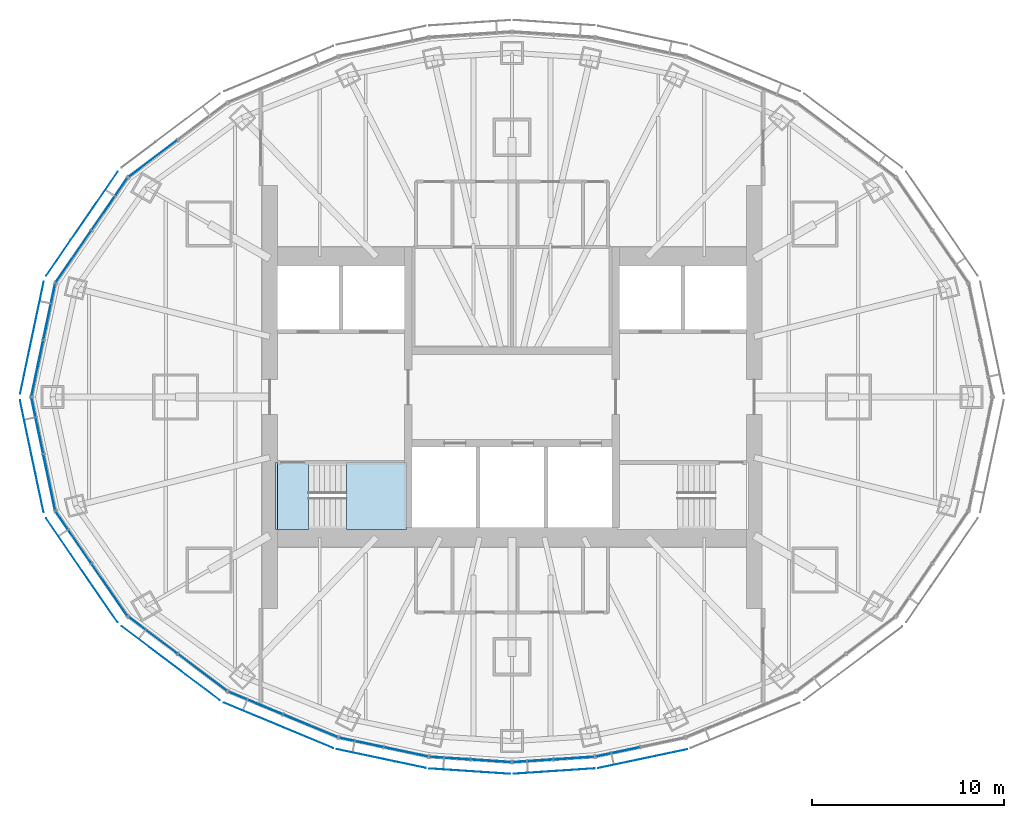
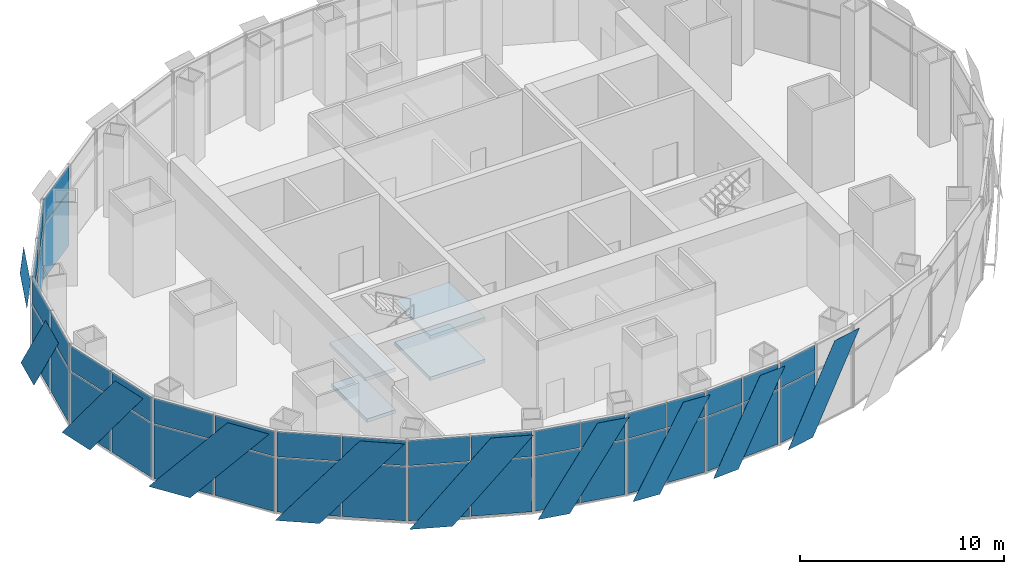
# One storey, part 9 of 17: 50 plates, 4 slabs, 12 elements without a shape of their own.
"""IFC4 building model written with IfcOpenShell, lengths in metres."""

import ifcopenshell
import ifcopenshell.guid

model = None  # the IFC model being written
_history = None  # IfcOwnerHistory: only IFC2X3 demands one
_inside = {}  # id of a spatial element -> (the spatial element, [elements in it])
_under = {}  # id of a project, library or spatial element -> (it, [spatial elements below it])
_declared = {}  # id of a project -> (the project, [libraries it declares])
_typed = {}  # id of a type object -> (the type object, [elements of that type])
_made_of = {}  # id of a material, layer set ... -> (it, [elements and type objects made of it])


def new_model(schema):
    """Start an empty IFC model of exactly this schema.

    Asked for "IFC4X3", IfcOpenShell would pick the latest addendum, in which some entities
    have other attributes; the version numbers below select the first issue.
    IFC2X3 requires an IfcOwnerHistory on every rooted entity: one is made here for all.
    """
    global model, _history
    if schema == "IFC4X3":
        model = ifcopenshell.file(schema_version=(4, 3, 0, 0))
    else:
        model = ifcopenshell.file(schema=schema)
    _inside.clear()
    _under.clear()
    _declared.clear()
    _typed.clear()
    _made_of.clear()
    _history = None
    if model.schema == "IFC2X3":
        org = make("IfcOrganization", Name="unknown")
        user = make(
            "IfcPersonAndOrganization",
            ThePerson=make("IfcPerson", FamilyName="unknown"),
            TheOrganization=org,
        )
        app = make(
            "IfcApplication",
            ApplicationDeveloper=org,
            Version="unknown",
            ApplicationFullName="unknown",
            ApplicationIdentifier="unknown",
        )
        _history = make(
            "IfcOwnerHistory",
            OwningUser=user,
            OwningApplication=app,
            ChangeAction="ADDED",
            CreationDate=0,
        )
    return model


def make(cls, **values):
    """One entity of the class cls with the attributes given. An attribute that is None is left unset."""
    return model.create_entity(
        cls, **{name: value for name, value in values.items() if value is not None}
    )


def rooted(cls, **values):
    """An entity with a GlobalId (a new one), such as an element, a storey or a relation."""
    return make(cls, GlobalId=ifcopenshell.guid.new(), OwnerHistory=_history, **values)


def si_unit(unit_type, name, prefix=None):
    """IfcSIUnit, for example si_unit("LENGTHUNIT", "METRE", prefix="MILLI")."""
    return make("IfcSIUnit", UnitType=unit_type, Prefix=prefix, Name=name)


def assignment(units):
    """IfcUnitAssignment: the units of a project."""
    return None if units is None else make("IfcUnitAssignment", Units=units)


def point(xyz):
    """IfcCartesianPoint."""
    return None if xyz is None else make("IfcCartesianPoint", Coordinates=xyz)


def direction(xyz):
    """IfcDirection."""
    return None if xyz is None else make("IfcDirection", DirectionRatios=xyz)


def frame(location, z_axis=None, x_axis=None):
    """IfcAxis2Placement3D, a coordinate frame: its origin and axes. An axis left out is left unset."""
    return make(
        "IfcAxis2Placement3D",
        Location=point(location),
        Axis=direction(z_axis),
        RefDirection=direction(x_axis),
    )


def frame_2d(location, x_axis=None):
    """IfcAxis2Placement2D, a coordinate frame in the plane: its origin and x axis."""
    return make(
        "IfcAxis2Placement2D", Location=point(location), RefDirection=direction(x_axis)
    )


def origin():
    """The frame at (0, 0, 0) with its axes left unset."""
    return frame((0.0, 0.0, 0.0))


def origin_2d():
    """The frame at (0, 0) in the plane with its x axis left unset."""
    return frame_2d((0.0, 0.0))


def place(relative_to, where):
    """IfcLocalPlacement: puts the frame where relative to a parent placement (None: the world)."""
    return make(
        "IfcLocalPlacement", PlacementRelTo=relative_to, RelativePlacement=where
    )


def context(
    kind, dimensions, precision=None, world=None, true_north=None, identifier=None
):
    """IfcGeometricRepresentationContext, for example the 3D "Model" context."""
    return make(
        "IfcGeometricRepresentationContext",
        ContextIdentifier=identifier,
        ContextType=kind,
        CoordinateSpaceDimension=dimensions,
        Precision=precision,
        WorldCoordinateSystem=world,
        TrueNorth=true_north,
    )


def subcontext(parent, identifier, kind, view, scale=None):
    """IfcGeometricRepresentationSubContext, for example "Body" below "Model"."""
    return make(
        "IfcGeometricRepresentationSubContext",
        ContextIdentifier=identifier,
        ContextType=kind,
        ParentContext=parent,
        TargetScale=scale,
        TargetView=view,
    )


def project(units=None, contexts=None):
    """IfcProject with its units and contexts."""
    return rooted(
        "IfcProject",
        Name="project",
        RepresentationContexts=contexts,
        UnitsInContext=assignment(units),
    )


def spatial(cls, under=None, at=None, **own):
    """A site, building, storey or space (cls), placed at a placement, below another one or the project."""
    s = rooted(cls, ObjectPlacement=at, **own)
    if under is not None:
        _under.setdefault(under.id(), (under, []))[1].append(s)
    return s


def polyline(points):
    """IfcPolyline through the points."""
    return make("IfcPolyline", Points=[point(p) for p in points])


def profile(cls, at=None, kind="AREA", **sizes):
    """A parametric profile (cls). Its sizes go by their IFC names, for example OverallWidth=200.0."""
    return make(cls, ProfileType=kind, Position=at, **sizes)


def rectangle(**sizes):
    """IfcRectangleProfileDef."""
    return profile("IfcRectangleProfileDef", **sizes)


def outline(outer, holes=None, kind="AREA"):
    """IfcArbitraryClosedProfileDef: a profile drawn as a closed curve; with holes, ...WithVoids."""
    if holes is None:
        return make("IfcArbitraryClosedProfileDef", ProfileType=kind, OuterCurve=outer)
    return make(
        "IfcArbitraryProfileDefWithVoids",
        ProfileType=kind,
        OuterCurve=outer,
        InnerCurves=holes,
    )


def extrude(swept, where, along, depth):
    """IfcExtrudedAreaSolid: the profile swept, set in the frame where, extruded along a direction by depth."""
    return make(
        "IfcExtrudedAreaSolid",
        SweptArea=swept,
        Position=where,
        ExtrudedDirection=direction(along),
        Depth=depth,
    )


def shape(context_of_items, identifier, shape_type, items):
    """IfcShapeRepresentation: the items that make up one representation, for example the "Body"."""
    return make(
        "IfcShapeRepresentation",
        ContextOfItems=context_of_items,
        RepresentationIdentifier=identifier,
        RepresentationType=shape_type,
        Items=items,
    )


def material(Name=None, Category=None):
    """IfcMaterial."""
    return make("IfcMaterial", Name=Name, Category=Category)


def layer(
    of_material, thickness, ventilated=None, Name=None, Category=None, Priority=None
):
    """IfcMaterialLayer: one layer of a wall or slab, of a material (None: an air gap)."""
    return make(
        "IfcMaterialLayer",
        Material=of_material,
        LayerThickness=thickness,
        IsVentilated=ventilated,
        Name=Name,
        Category=Category,
        Priority=Priority,
    )


def layer_set(layers, Name=None):
    """IfcMaterialLayerSet."""
    return make("IfcMaterialLayerSet", MaterialLayers=layers, LayerSetName=Name)


def made_of(thing, what):
    """Note that an element or type object is made of a material, layer set ...; save() writes the relation."""
    if what is not None:
        _made_of.setdefault(what.id(), (what, []))[1].append(thing)
    return thing


def type_object(cls, material=None, **own):
    """A type object (cls), such as IfcWallType, which elements share."""
    return made_of(rooted(cls, **own), material)


def element(
    cls,
    number,
    at=None,
    inside=None,
    cuts=None,
    type_object=None,
    material=None,
    context=None,
    identifier="Body",
    shape_type=None,
    held_by="IfcProductDefinitionShape",
    body=None,
    shapes=None,
    **own,
):
    """One element of the class cls, such as IfcWall. Its Tag is "e" and its number.

    at: its placement. inside: the storey or other place that contains it. cuts: it is an
    opening in that element (IfcRelVoidsElement). A single representation is given by context,
    identifier, shape_type and body (its items); several are given by shapes. held_by: the class
    of the entity that holds the representations. save() writes the other relations.
    """
    e = rooted(cls, Tag="e%d" % number, ObjectPlacement=at, **own)
    if body is not None:
        shapes = [shape(context, identifier, shape_type, body)]
    if shapes is not None:
        e.Representation = make(held_by, Representations=shapes)
    if inside is not None:
        _inside.setdefault(inside.id(), (inside, []))[1].append(e)
    if cuts is not None:
        rooted(
            "IfcRelVoidsElement", RelatingBuildingElement=cuts, RelatedOpeningElement=e
        )
    if type_object is not None:
        _typed.setdefault(type_object.id(), (type_object, []))[1].append(e)
    return made_of(e, material)


def aggregate(whole, parts):
    """IfcRelAggregates: a whole, such as a stair, and the parts it consists of."""
    return rooted("IfcRelAggregates", RelatingObject=whole, RelatedObjects=parts)


def save(model, path):
    """Write the relations noted so far, then the file.

    IfcRelAggregates (storeys below a building ...), IfcRelContainedInSpatialStructure (elements
    in a storey), IfcRelDefinesByType, IfcRelAssociatesMaterial and IfcRelDeclares: one each for
    every whole, place, type object, material and project.
    """
    for whole, parts in _under.values():
        aggregate(whole, parts)
    for where, things in _inside.values():
        rooted(
            "IfcRelContainedInSpatialStructure",
            RelatedElements=things,
            RelatingStructure=where,
        )
    for kind, things in _typed.values():
        rooted("IfcRelDefinesByType", RelatedObjects=things, RelatingType=kind)
    for what, things in _made_of.values():
        rooted("IfcRelAssociatesMaterial", RelatedObjects=things, RelatingMaterial=what)
    for by, libraries in _declared.values():
        rooted("IfcRelDeclares", RelatingContext=by, RelatedDefinitions=libraries)
    model.write(path)


model = new_model("IFC4")

# Units and contexts
model_context = context("Model", 3, precision=1e-05, world=origin(), true_north=direction((0.0, 1.0)))
body_context = subcontext(model_context, "Body", "Model", "MODEL_VIEW")
ifc_project = project(units=[si_unit("LENGTHUNIT", "METRE"), si_unit("AREAUNIT", "SQUARE_METRE"), si_unit("VOLUMEUNIT", "CUBIC_METRE"), si_unit("PLANEANGLEUNIT", "RADIAN"), si_unit("MASSUNIT", "GRAM", prefix="KILO")], contexts=[model_context])

# Site, building, storey
site_placement = place(None, origin())
site = spatial("IfcSite", under=ifc_project, at=site_placement, CompositionType="ELEMENT")
building_placement = place(site_placement, origin())
building = spatial("IfcBuilding", under=site, at=building_placement, Name="Lantaw Convention Tower", CompositionType="ELEMENT")
storey_placement = place(building_placement, frame((0.0, 0.0, 279.39990234375)))
storey = spatial("IfcBuildingStorey", under=building, at=storey_placement, Name="L65", CompositionType="ELEMENT", Elevation=279.39990234375)

# Curtain wall, plates
ifc_material_1 = material(Name="Aluminium framed curtain wall", Category="aluminium")
curtain_wall_type = type_object("IfcCurtainWallType", Name="Executive floors curtain wall, pale aluminium", PredefinedType="USERDEFINED", material=ifc_material_1)
curtain_wall_1_placement = place(storey_placement, origin())
curtain_wall_1 = element("IfcCurtainWall", 1, at=curtain_wall_1_placement, inside=storey, type_object=curtain_wall_type, Name="Executive floors curtain wall, pale aluminium L65", ObjectType="UNITISED CURTAIN WALL", PredefinedType="USERDEFINED")
ifc_material_2 = material(Name="Clear insulating glass", Category="glass")
ifc_layer_1 = layer(ifc_material_2, 0.030029296875)
ifc_layer_set_1 = layer_set([ifc_layer_1], Name="CW-T panel 30")
plate_type_1 = type_object("IfcPlateType", Name="CW-T panel 30", PredefinedType="CURTAIN_PANEL", material=ifc_layer_set_1)
plate_1_placement = place(storey_placement, frame((-18.67041015625, 12.403564453125, -0.080078125), z_axis=(0.0, 0.0, 1.0), x_axis=(-0.799517528732, -0.600642756762, 0.0)))
plate_1 = element("IfcPlate", 2, at=plate_1_placement, type_object=plate_type_1, Name="CW-T panel 2.1", PredefinedType="CURTAIN_PANEL", context=body_context, shape_type="SweptSolid", body=[
    extrude(rectangle(XDim=3.140869140625, YDim=0.030029296875, at=origin_2d()), origin(), (0.0, 0.0, 1.0), 3.2451171875),
])
plate_2_placement = place(storey_placement, frame((-18.67041015625, 12.403564453125, 3.235107421875), z_axis=(0.0, 0.0, 1.0), x_axis=(-0.799517528732, -0.600642756762, 0.0)))
plate_2 = element("IfcPlate", 3, at=plate_2_placement, type_object=plate_type_1, Name="CW-T panel 2.2", PredefinedType="CURTAIN_PANEL", context=body_context, shape_type="SweptSolid", body=[
    extrude(rectangle(XDim=3.140869140625, YDim=0.030029296875, at=origin_2d()), origin(), (0.0, 0.0, 1.0), 1.4951171875),
])
aggregate(curtain_wall_1, [plate_1, plate_2])

curtain_wall_2_placement = place(storey_placement, origin())
curtain_wall_2 = element("IfcCurtainWall", 4, at=curtain_wall_2_placement, inside=storey, type_object=curtain_wall_type, Name="Executive floors curtain wall, pale aluminium L65", ObjectType="UNITISED CURTAIN WALL", PredefinedType="USERDEFINED")
plate_3_placement = place(storey_placement, frame((-20.93505859375, 10.030029296875, -0.080078125), z_axis=(0.0, 0.0, 1.0), x_axis=(-0.565934832921, -0.824449977189, 0.0)))
plate_3 = element("IfcPlate", 5, at=plate_3_placement, type_object=plate_type_1, Name="CW-T panel 1.1", PredefinedType="CURTAIN_PANEL", context=body_context, shape_type="SweptSolid", body=[
    extrude(rectangle(XDim=3.22802734375, YDim=0.030029296875, at=origin_2d()), origin(), (0.0, 0.0, 1.0), 3.2451171875),
])
plate_4_placement = place(storey_placement, frame((-20.93505859375, 10.030029296875, 3.235107421875), z_axis=(0.0, 0.0, 1.0), x_axis=(-0.565934832921, -0.824449977189, 0.0)))
plate_4 = element("IfcPlate", 6, at=plate_4_placement, type_object=plate_type_1, Name="CW-T panel 1.2", PredefinedType="CURTAIN_PANEL", context=body_context, shape_type="SweptSolid", body=[
    extrude(rectangle(XDim=3.22802734375, YDim=0.030029296875, at=origin_2d()), origin(), (0.0, 0.0, 1.0), 1.4951171875),
])
plate_5_placement = place(storey_placement, frame((-22.80126953125, 7.31103515625, -0.080078125), z_axis=(0.0, 0.0, 1.0), x_axis=(-0.565934832921, -0.824449977189, 0.0)))
plate_5 = element("IfcPlate", 7, at=plate_5_placement, type_object=plate_type_1, Name="CW-T panel 2.1", PredefinedType="CURTAIN_PANEL", context=body_context, shape_type="SweptSolid", body=[
    extrude(rectangle(XDim=3.22802734375, YDim=0.030029296875, at=origin_2d()), origin(), (0.0, 0.0, 1.0), 3.2451171875),
])
plate_6_placement = place(storey_placement, frame((-22.80126953125, 7.31103515625, 3.235107421875), z_axis=(0.0, 0.0, 1.0), x_axis=(-0.565934832921, -0.824449977189, 0.0)))
plate_6 = element("IfcPlate", 8, at=plate_6_placement, type_object=plate_type_1, Name="CW-T panel 2.2", PredefinedType="CURTAIN_PANEL", context=body_context, shape_type="SweptSolid", body=[
    extrude(rectangle(XDim=3.22802734375, YDim=0.030029296875, at=origin_2d()), origin(), (0.0, 0.0, 1.0), 1.4951171875),
])
aggregate(curtain_wall_2, [plate_3, plate_4, plate_5, plate_6])

curtain_wall_3_placement = place(storey_placement, origin())
curtain_wall_3 = element("IfcCurtainWall", 9, at=curtain_wall_3_placement, inside=storey, type_object=curtain_wall_type, Name="Executive floors curtain wall, pale aluminium L65", ObjectType="UNITISED CURTAIN WALL", PredefinedType="USERDEFINED")
plate_7_placement = place(storey_placement, frame((-24.0693359375, 4.4248046875, -0.080078125), z_axis=(0.0, 0.0, 1.0), x_axis=(-0.205814054946, -0.978591117263, 0.0)))
plate_7 = element("IfcPlate", 10, at=plate_7_placement, type_object=plate_type_1, Name="CW-T panel 1.1", PredefinedType="CURTAIN_PANEL", context=body_context, shape_type="SweptSolid", body=[
    extrude(rectangle(XDim=2.921142578125, YDim=0.030029296875, at=origin_2d()), origin(), (0.0, 0.0, 1.0), 3.2451171875),
])
plate_8_placement = place(storey_placement, frame((-24.0693359375, 4.4248046875, 3.235107421875), z_axis=(0.0, 0.0, 1.0), x_axis=(-0.205814054946, -0.978591117263, 0.0)))
plate_8 = element("IfcPlate", 11, at=plate_8_placement, type_object=plate_type_1, Name="CW-T panel 1.2", PredefinedType="CURTAIN_PANEL", context=body_context, shape_type="SweptSolid", body=[
    extrude(rectangle(XDim=2.921142578125, YDim=0.030029296875, at=origin_2d()), origin(), (0.0, 0.0, 1.0), 1.4951171875),
])
plate_9_placement = place(storey_placement, frame((-24.68505859375, 1.497802734375, -0.080078125), z_axis=(0.0, 0.0, 1.0), x_axis=(-0.205814054946, -0.978591117263, 0.0)))
plate_9 = element("IfcPlate", 12, at=plate_9_placement, type_object=plate_type_1, Name="CW-T panel 2.1", PredefinedType="CURTAIN_PANEL", context=body_context, shape_type="SweptSolid", body=[
    extrude(rectangle(XDim=2.921142578125, YDim=0.030029296875, at=origin_2d()), origin(), (0.0, 0.0, 1.0), 3.2451171875),
])
plate_10_placement = place(storey_placement, frame((-24.68505859375, 1.497802734375, 3.235107421875), z_axis=(0.0, 0.0, 1.0), x_axis=(-0.205814054946, -0.978591117263, 0.0)))
plate_10 = element("IfcPlate", 13, at=plate_10_placement, type_object=plate_type_1, Name="CW-T panel 2.2", PredefinedType="CURTAIN_PANEL", context=body_context, shape_type="SweptSolid", body=[
    extrude(rectangle(XDim=2.921142578125, YDim=0.030029296875, at=origin_2d()), origin(), (0.0, 0.0, 1.0), 1.4951171875),
])
aggregate(curtain_wall_3, [plate_7, plate_8, plate_9, plate_10])

curtain_wall_4_placement = place(storey_placement, origin())
curtain_wall_4 = element("IfcCurtainWall", 14, at=curtain_wall_4_placement, inside=storey, type_object=curtain_wall_type, Name="Executive floors curtain wall, pale aluminium L65", ObjectType="UNITISED CURTAIN WALL", PredefinedType="USERDEFINED")
plate_11_placement = place(storey_placement, frame((-24.68505859375, -1.497802734375, -0.080078125), z_axis=(0.0, 0.0, 1.0), x_axis=(0.205814054946, -0.978591117263, 0.0)))
plate_11 = element("IfcPlate", 15, at=plate_11_placement, type_object=plate_type_1, Name="CW-T panel 1.1", PredefinedType="CURTAIN_PANEL", context=body_context, shape_type="SweptSolid", body=[
    extrude(rectangle(XDim=2.921142578125, YDim=0.030029296875, at=origin_2d()), origin(), (0.0, 0.0, 1.0), 3.2451171875),
])
plate_12_placement = place(storey_placement, frame((-24.68505859375, -1.497802734375, 3.235107421875), z_axis=(0.0, 0.0, 1.0), x_axis=(0.205814054946, -0.978591117263, 0.0)))
plate_12 = element("IfcPlate", 16, at=plate_12_placement, type_object=plate_type_1, Name="CW-T panel 1.2", PredefinedType="CURTAIN_PANEL", context=body_context, shape_type="SweptSolid", body=[
    extrude(rectangle(XDim=2.921142578125, YDim=0.030029296875, at=origin_2d()), origin(), (0.0, 0.0, 1.0), 1.4951171875),
])
plate_13_placement = place(storey_placement, frame((-24.0693359375, -4.4248046875, -0.080078125), z_axis=(0.0, 0.0, 1.0), x_axis=(0.205814054946, -0.978591117263, 0.0)))
plate_13 = element("IfcPlate", 17, at=plate_13_placement, type_object=plate_type_1, Name="CW-T panel 2.1", PredefinedType="CURTAIN_PANEL", context=body_context, shape_type="SweptSolid", body=[
    extrude(rectangle(XDim=2.921142578125, YDim=0.030029296875, at=origin_2d()), origin(), (0.0, 0.0, 1.0), 3.2451171875),
])
plate_14_placement = place(storey_placement, frame((-24.0693359375, -4.4248046875, 3.235107421875), z_axis=(0.0, 0.0, 1.0), x_axis=(0.205814054946, -0.978591117263, 0.0)))
plate_14 = element("IfcPlate", 18, at=plate_14_placement, type_object=plate_type_1, Name="CW-T panel 2.2", PredefinedType="CURTAIN_PANEL", context=body_context, shape_type="SweptSolid", body=[
    extrude(rectangle(XDim=2.921142578125, YDim=0.030029296875, at=origin_2d()), origin(), (0.0, 0.0, 1.0), 1.4951171875),
])
aggregate(curtain_wall_4, [plate_11, plate_12, plate_13, plate_14])

curtain_wall_5_placement = place(storey_placement, origin())
curtain_wall_5 = element("IfcCurtainWall", 19, at=curtain_wall_5_placement, inside=storey, type_object=curtain_wall_type, Name="Executive floors curtain wall, pale aluminium L65", ObjectType="UNITISED CURTAIN WALL", PredefinedType="USERDEFINED")
plate_15_placement = place(storey_placement, frame((-22.80126953125, -7.31103515625, -0.080078125), z_axis=(0.0, 0.0, 1.0), x_axis=(0.565934832921, -0.824449977189, 0.0)))
plate_15 = element("IfcPlate", 20, at=plate_15_placement, type_object=plate_type_1, Name="CW-T panel 1.1", PredefinedType="CURTAIN_PANEL", context=body_context, shape_type="SweptSolid", body=[
    extrude(rectangle(XDim=3.22802734375, YDim=0.030029296875, at=origin_2d()), origin(), (0.0, 0.0, 1.0), 3.2451171875),
])
plate_16_placement = place(storey_placement, frame((-22.80126953125, -7.31103515625, 3.235107421875), z_axis=(0.0, 0.0, 1.0), x_axis=(0.565934832921, -0.824449977189, 0.0)))
plate_16 = element("IfcPlate", 21, at=plate_16_placement, type_object=plate_type_1, Name="CW-T panel 1.2", PredefinedType="CURTAIN_PANEL", context=body_context, shape_type="SweptSolid", body=[
    extrude(rectangle(XDim=3.22802734375, YDim=0.030029296875, at=origin_2d()), origin(), (0.0, 0.0, 1.0), 1.4951171875),
])
plate_17_placement = place(storey_placement, frame((-20.93505859375, -10.030029296875, -0.080078125), z_axis=(0.0, 0.0, 1.0), x_axis=(0.565934832921, -0.824449977189, 0.0)))
plate_17 = element("IfcPlate", 22, at=plate_17_placement, type_object=plate_type_1, Name="CW-T panel 2.1", PredefinedType="CURTAIN_PANEL", context=body_context, shape_type="SweptSolid", body=[
    extrude(rectangle(XDim=3.22802734375, YDim=0.030029296875, at=origin_2d()), origin(), (0.0, 0.0, 1.0), 3.2451171875),
])
plate_18_placement = place(storey_placement, frame((-20.93505859375, -10.030029296875, 3.235107421875), z_axis=(0.0, 0.0, 1.0), x_axis=(0.565934832921, -0.824449977189, 0.0)))
plate_18 = element("IfcPlate", 23, at=plate_18_placement, type_object=plate_type_1, Name="CW-T panel 2.2", PredefinedType="CURTAIN_PANEL", context=body_context, shape_type="SweptSolid", body=[
    extrude(rectangle(XDim=3.22802734375, YDim=0.030029296875, at=origin_2d()), origin(), (0.0, 0.0, 1.0), 1.4951171875),
])
aggregate(curtain_wall_5, [plate_15, plate_16, plate_17, plate_18])

curtain_wall_6_placement = place(storey_placement, origin())
curtain_wall_6 = element("IfcCurtainWall", 24, at=curtain_wall_6_placement, inside=storey, type_object=curtain_wall_type, Name="Executive floors curtain wall, pale aluminium L65", ObjectType="UNITISED CURTAIN WALL", PredefinedType="USERDEFINED")
plate_19_placement = place(storey_placement, frame((-18.67041015625, -12.403564453125, -0.080078125), z_axis=(0.0, 0.0, 1.0), x_axis=(0.799517528732, -0.600642756762, 0.0)))
plate_19 = element("IfcPlate", 25, at=plate_19_placement, type_object=plate_type_1, Name="CW-T panel 1.1", PredefinedType="CURTAIN_PANEL", context=body_context, shape_type="SweptSolid", body=[
    extrude(rectangle(XDim=3.140869140625, YDim=0.030029296875, at=origin_2d()), origin(), (0.0, 0.0, 1.0), 3.2451171875),
])
plate_20_placement = place(storey_placement, frame((-18.67041015625, -12.403564453125, 3.235107421875), z_axis=(0.0, 0.0, 1.0), x_axis=(0.799517528732, -0.600642756762, 0.0)))
plate_20 = element("IfcPlate", 26, at=plate_20_placement, type_object=plate_type_1, Name="CW-T panel 1.2", PredefinedType="CURTAIN_PANEL", context=body_context, shape_type="SweptSolid", body=[
    extrude(rectangle(XDim=3.140869140625, YDim=0.030029296875, at=origin_2d()), origin(), (0.0, 0.0, 1.0), 1.4951171875),
])
plate_21_placement = place(storey_placement, frame((-16.103271484375, -14.33203125, -0.080078125), z_axis=(0.0, 0.0, 1.0), x_axis=(0.799517528732, -0.600642756762, 0.0)))
plate_21 = element("IfcPlate", 27, at=plate_21_placement, type_object=plate_type_1, Name="CW-T panel 2.1", PredefinedType="CURTAIN_PANEL", context=body_context, shape_type="SweptSolid", body=[
    extrude(rectangle(XDim=3.140869140625, YDim=0.030029296875, at=origin_2d()), origin(), (0.0, 0.0, 1.0), 3.2451171875),
])
plate_22_placement = place(storey_placement, frame((-16.103271484375, -14.33203125, 3.235107421875), z_axis=(0.0, 0.0, 1.0), x_axis=(0.799517528732, -0.600642756762, 0.0)))
plate_22 = element("IfcPlate", 28, at=plate_22_placement, type_object=plate_type_1, Name="CW-T panel 2.2", PredefinedType="CURTAIN_PANEL", context=body_context, shape_type="SweptSolid", body=[
    extrude(rectangle(XDim=3.140869140625, YDim=0.030029296875, at=origin_2d()), origin(), (0.0, 0.0, 1.0), 1.4951171875),
])
aggregate(curtain_wall_6, [plate_19, plate_20, plate_21, plate_22])

curtain_wall_7_placement = place(storey_placement, origin())
curtain_wall_7 = element("IfcCurtainWall", 29, at=curtain_wall_7_placement, inside=storey, type_object=curtain_wall_type, Name="Executive floors curtain wall, pale aluminium L65", ObjectType="UNITISED CURTAIN WALL", PredefinedType="USERDEFINED")
plate_23_placement = place(storey_placement, frame((-13.334716796875, -15.92431640625, -0.080078125), z_axis=(0.0, 0.0, 1.0), x_axis=(0.923141777124, -0.384459697924, 0.0)))
plate_23 = element("IfcPlate", 30, at=plate_23_placement, type_object=plate_type_1, Name="CW-T panel 1.1", PredefinedType="CURTAIN_PANEL", context=body_context, shape_type="SweptSolid", body=[
    extrude(rectangle(XDim=3.01708984375, YDim=0.030029296875, at=origin_2d()), origin(), (0.0, 0.0, 1.0), 3.2451171875),
])
plate_24_placement = place(storey_placement, frame((-13.334716796875, -15.92431640625, 3.235107421875), z_axis=(0.0, 0.0, 1.0), x_axis=(0.923141777124, -0.384459697924, 0.0)))
plate_24 = element("IfcPlate", 31, at=plate_24_placement, type_object=plate_type_1, Name="CW-T panel 1.2", PredefinedType="CURTAIN_PANEL", context=body_context, shape_type="SweptSolid", body=[
    extrude(rectangle(XDim=3.01708984375, YDim=0.030029296875, at=origin_2d()), origin(), (0.0, 0.0, 1.0), 1.4951171875),
])
plate_25_placement = place(storey_placement, frame((-10.48486328125, -17.111083984375, -0.080078125), z_axis=(0.0, 0.0, 1.0), x_axis=(0.923141777124, -0.384459697924, 0.0)))
plate_25 = element("IfcPlate", 32, at=plate_25_placement, type_object=plate_type_1, Name="CW-T panel 2.1", PredefinedType="CURTAIN_PANEL", context=body_context, shape_type="SweptSolid", body=[
    extrude(rectangle(XDim=3.01708984375, YDim=0.030029296875, at=origin_2d()), origin(), (0.0, 0.0, 1.0), 3.2451171875),
])
plate_26_placement = place(storey_placement, frame((-10.48486328125, -17.111083984375, 3.235107421875), z_axis=(0.0, 0.0, 1.0), x_axis=(0.923141777124, -0.384459697924, 0.0)))
plate_26 = element("IfcPlate", 33, at=plate_26_placement, type_object=plate_type_1, Name="CW-T panel 2.2", PredefinedType="CURTAIN_PANEL", context=body_context, shape_type="SweptSolid", body=[
    extrude(rectangle(XDim=3.01708984375, YDim=0.030029296875, at=origin_2d()), origin(), (0.0, 0.0, 1.0), 1.4951171875),
])
aggregate(curtain_wall_7, [plate_23, plate_24, plate_25, plate_26])

curtain_wall_8_placement = place(storey_placement, origin())
curtain_wall_8 = element("IfcCurtainWall", 34, at=curtain_wall_8_placement, inside=storey, type_object=curtain_wall_type, Name="Executive floors curtain wall, pale aluminium L65", ObjectType="UNITISED CURTAIN WALL", PredefinedType="USERDEFINED")
plate_27_placement = place(storey_placement, frame((-7.833740234375, -17.970703125, -0.080078125), z_axis=(0.0, 0.0, 1.0), x_axis=(0.978332497083, -0.207039911975, 0.0)))
plate_27 = element("IfcPlate", 35, at=plate_27_placement, type_object=plate_type_1, Name="CW-T panel 1.1", PredefinedType="CURTAIN_PANEL", context=body_context, shape_type="SweptSolid", body=[
    extrude(rectangle(XDim=2.30078125, YDim=0.030029296875, at=origin_2d()), origin(), (0.0, 0.0, 1.0), 3.2451171875),
])
plate_28_placement = place(storey_placement, frame((-7.833740234375, -17.970703125, 3.235107421875), z_axis=(0.0, 0.0, 1.0), x_axis=(0.978332497083, -0.207039911975, 0.0)))
plate_28 = element("IfcPlate", 36, at=plate_28_placement, type_object=plate_type_1, Name="CW-T panel 1.2", PredefinedType="CURTAIN_PANEL", context=body_context, shape_type="SweptSolid", body=[
    extrude(rectangle(XDim=2.30078125, YDim=0.030029296875, at=origin_2d()), origin(), (0.0, 0.0, 1.0), 1.4951171875),
])
plate_29_placement = place(storey_placement, frame((-5.514404296875, -18.46142578125, -0.080078125), z_axis=(0.0, 0.0, 1.0), x_axis=(0.978332497083, -0.207039911975, 0.0)))
plate_29 = element("IfcPlate", 37, at=plate_29_placement, type_object=plate_type_1, Name="CW-T panel 2.1", PredefinedType="CURTAIN_PANEL", context=body_context, shape_type="SweptSolid", body=[
    extrude(rectangle(XDim=2.30078125, YDim=0.030029296875, at=origin_2d()), origin(), (0.0, 0.0, 1.0), 3.2451171875),
])
plate_30_placement = place(storey_placement, frame((-5.514404296875, -18.46142578125, 3.235107421875), z_axis=(0.0, 0.0, 1.0), x_axis=(0.978332497083, -0.207039911975, 0.0)))
plate_30 = element("IfcPlate", 38, at=plate_30_placement, type_object=plate_type_1, Name="CW-T panel 2.2", PredefinedType="CURTAIN_PANEL", context=body_context, shape_type="SweptSolid", body=[
    extrude(rectangle(XDim=2.30078125, YDim=0.030029296875, at=origin_2d()), origin(), (0.0, 0.0, 1.0), 1.4951171875),
])
aggregate(curtain_wall_8, [plate_27, plate_28, plate_29, plate_30])

curtain_wall_9_placement = place(storey_placement, origin())
curtain_wall_9 = element("IfcCurtainWall", 39, at=curtain_wall_9_placement, inside=storey, type_object=curtain_wall_type, Name="Executive floors curtain wall, pale aluminium L65", ObjectType="UNITISED CURTAIN WALL", PredefinedType="USERDEFINED")
plate_31_placement = place(storey_placement, frame((-3.222900390625, -18.78662109375, -0.080078125), z_axis=(0.0, 0.0, 1.0), x_axis=(0.997817975525, -0.066024902273, 0.0)))
plate_31 = element("IfcPlate", 40, at=plate_31_placement, type_object=plate_type_1, Name="CW-T panel 1.1", PredefinedType="CURTAIN_PANEL", context=body_context, shape_type="SweptSolid", body=[
    extrude(rectangle(XDim=2.06005859375, YDim=0.030029296875, at=origin_2d()), origin(), (0.0, 0.0, 1.0), 3.2451171875),
])
plate_32_placement = place(storey_placement, frame((-3.222900390625, -18.78662109375, 3.235107421875), z_axis=(0.0, 0.0, 1.0), x_axis=(0.997817975525, -0.066024902273, 0.0)))
plate_32 = element("IfcPlate", 41, at=plate_32_placement, type_object=plate_type_1, Name="CW-T panel 1.2", PredefinedType="CURTAIN_PANEL", context=body_context, shape_type="SweptSolid", body=[
    extrude(rectangle(XDim=2.06005859375, YDim=0.030029296875, at=origin_2d()), origin(), (0.0, 0.0, 1.0), 1.4951171875),
])
plate_33_placement = place(storey_placement, frame((-1.09765625, -18.927490234375, -0.080078125), z_axis=(0.0, 0.0, 1.0), x_axis=(0.997817975525, -0.066024902273, 0.0)))
plate_33 = element("IfcPlate", 42, at=plate_33_placement, type_object=plate_type_1, Name="CW-T panel 2.1", PredefinedType="CURTAIN_PANEL", context=body_context, shape_type="SweptSolid", body=[
    extrude(rectangle(XDim=2.06005859375, YDim=0.030029296875, at=origin_2d()), origin(), (0.0, 0.0, 1.0), 3.2451171875),
])
plate_34_placement = place(storey_placement, frame((-1.09765625, -18.927490234375, 3.235107421875), z_axis=(0.0, 0.0, 1.0), x_axis=(0.997817975525, -0.066024902273, 0.0)))
plate_34 = element("IfcPlate", 43, at=plate_34_placement, type_object=plate_type_1, Name="CW-T panel 2.2", PredefinedType="CURTAIN_PANEL", context=body_context, shape_type="SweptSolid", body=[
    extrude(rectangle(XDim=2.06005859375, YDim=0.030029296875, at=origin_2d()), origin(), (0.0, 0.0, 1.0), 1.4951171875),
])
aggregate(curtain_wall_9, [plate_31, plate_32, plate_33, plate_34])

curtain_wall_10_placement = place(storey_placement, origin())
curtain_wall_10 = element("IfcCurtainWall", 44, at=curtain_wall_10_placement, inside=storey, type_object=curtain_wall_type, Name="Executive floors curtain wall, pale aluminium L65", ObjectType="UNITISED CURTAIN WALL", PredefinedType="USERDEFINED")
plate_35_placement = place(storey_placement, frame((1.09765625, -18.927490234375, -0.080078125), z_axis=(0.0, 0.0, 1.0), x_axis=(0.997817975525, 0.066024902273, 0.0)))
plate_35 = element("IfcPlate", 45, at=plate_35_placement, type_object=plate_type_1, Name="CW-T panel 1.1", PredefinedType="CURTAIN_PANEL", context=body_context, shape_type="SweptSolid", body=[
    extrude(rectangle(XDim=2.06005859375, YDim=0.030029296875, at=origin_2d()), origin(), (0.0, 0.0, 1.0), 3.2451171875),
])
plate_36_placement = place(storey_placement, frame((1.09765625, -18.927490234375, 3.235107421875), z_axis=(0.0, 0.0, 1.0), x_axis=(0.997817975525, 0.066024902273, 0.0)))
plate_36 = element("IfcPlate", 46, at=plate_36_placement, type_object=plate_type_1, Name="CW-T panel 1.2", PredefinedType="CURTAIN_PANEL", context=body_context, shape_type="SweptSolid", body=[
    extrude(rectangle(XDim=2.06005859375, YDim=0.030029296875, at=origin_2d()), origin(), (0.0, 0.0, 1.0), 1.4951171875),
])
plate_37_placement = place(storey_placement, frame((3.222900390625, -18.78662109375, -0.080078125), z_axis=(0.0, 0.0, 1.0), x_axis=(0.997817975525, 0.066024902273, 0.0)))
plate_37 = element("IfcPlate", 47, at=plate_37_placement, type_object=plate_type_1, Name="CW-T panel 2.1", PredefinedType="CURTAIN_PANEL", context=body_context, shape_type="SweptSolid", body=[
    extrude(rectangle(XDim=2.06005859375, YDim=0.030029296875, at=origin_2d()), origin(), (0.0, 0.0, 1.0), 3.2451171875),
])
plate_38_placement = place(storey_placement, frame((3.222900390625, -18.78662109375, 3.235107421875), z_axis=(0.0, 0.0, 1.0), x_axis=(0.997817975525, 0.066024902273, 0.0)))
plate_38 = element("IfcPlate", 48, at=plate_38_placement, type_object=plate_type_1, Name="CW-T panel 2.2", PredefinedType="CURTAIN_PANEL", context=body_context, shape_type="SweptSolid", body=[
    extrude(rectangle(XDim=2.06005859375, YDim=0.030029296875, at=origin_2d()), origin(), (0.0, 0.0, 1.0), 1.4951171875),
])
aggregate(curtain_wall_10, [plate_35, plate_36, plate_37, plate_38])

curtain_wall_11_placement = place(storey_placement, origin())
curtain_wall_11 = element("IfcCurtainWall", 49, at=curtain_wall_11_placement, inside=storey, type_object=curtain_wall_type, Name="Executive floors curtain wall, pale aluminium L65", ObjectType="UNITISED CURTAIN WALL", PredefinedType="USERDEFINED")
plate_39_placement = place(storey_placement, frame((5.514404296875, -18.46142578125, -0.080078125), z_axis=(0.0, 0.0, 1.0), x_axis=(0.978332497083, 0.207039911975, 0.0)))
plate_39 = element("IfcPlate", 50, at=plate_39_placement, type_object=plate_type_1, Name="CW-T panel 1.1", PredefinedType="CURTAIN_PANEL", context=body_context, shape_type="SweptSolid", body=[
    extrude(rectangle(XDim=2.30078125, YDim=0.030029296875, at=origin_2d()), origin(), (0.0, 0.0, 1.0), 3.2451171875),
])
plate_40_placement = place(storey_placement, frame((5.514404296875, -18.46142578125, 3.235107421875), z_axis=(0.0, 0.0, 1.0), x_axis=(0.978332497083, 0.207039911975, 0.0)))
plate_40 = element("IfcPlate", 51, at=plate_40_placement, type_object=plate_type_1, Name="CW-T panel 1.2", PredefinedType="CURTAIN_PANEL", context=body_context, shape_type="SweptSolid", body=[
    extrude(rectangle(XDim=2.30078125, YDim=0.030029296875, at=origin_2d()), origin(), (0.0, 0.0, 1.0), 1.4951171875),
])
aggregate(curtain_wall_11, [plate_39, plate_40])

# Plates
ifc_material_3 = material(Name="Perforated aluminium sheet, pale silver finish", Category="aluminium")
ifc_layer_2 = layer(ifc_material_3, 0.006103515625)
ifc_layer_set_2 = layer_set([ifc_layer_2], Name="Perforated aluminium solar SCREEN panel")
plate_type_2 = type_object("IfcPlateType", Name="Perforated aluminium solar SCREEN panel", PredefinedType="SHEET", material=ifc_layer_set_2)
plate_41_placement = place(storey_placement, frame((-20.509765625, 11.719970703125, -0.1748046875), z_axis=(-0.824440912553, 0.565948037906, 9.985557e-06), x_axis=(-0.565948037934, -0.824440912594, -4.43e-10)))
element("IfcPlate", 52, at=plate_41_placement, inside=storey, type_object=plate_type_2, Name="Solar SCREEN panel", PredefinedType="SHEET", context=body_context, shape_type="SweptSolid", body=[
    extrude(outline(polyline([(0.0, 0.0), (2.266342113131426, 0.0), (6.565730723168265, 5.114990237541394), (4.299526780944539, 5.114990235531567), (0.0, 0.0)])), origin(), (0.0, 0.0, -1.0), 0.006103515625),
])
plate_42_placement = place(storey_placement, frame((-24.357666015625, 5.99853515625, -0.1748046875), z_axis=(-0.978586273349, 0.205837083623, 2.487034e-05), x_axis=(-0.205837083686, -0.978586273652, 3.04e-10)))
element("IfcPlate", 53, at=plate_42_placement, inside=storey, type_object=plate_type_2, Name="Solar SCREEN panel", PredefinedType="SHEET", context=body_context, shape_type="SweptSolid", body=[
    extrude(outline(polyline([(0.0, 0.0), (2.05797986121792, 0.0), (5.952387791834848, 5.114990234149451), (3.8946468432813948, 5.114990235399191), (0.0, 0.0)])), origin(), (0.0, 0.0, -1.0), 0.006103515625),
])
plate_43_placement = place(storey_placement, frame((-25.582763671875, -0.173583984375, -0.1748046875), z_axis=(0.978586273349, 0.205837083623, 2.487034e-05), x_axis=(0.205837083686, -0.978586273652, -3.04e-10)))
element("IfcPlate", 54, at=plate_43_placement, inside=storey, type_object=plate_type_2, Name="Solar SCREEN panel", PredefinedType="SHEET", context=body_context, shape_type="SweptSolid", body=[
    extrude(outline(polyline([(0.0, 0.0), (2.0577409485534544, 0.0), (5.952387788728329, -5.1149902377645535), (3.8944079275104078, -5.114990236514667), (0.0, 0.0)])), origin(), (0.0, 0.0, -1.0), 0.006103515625),
])
plate_44_placement = place(storey_placement, frame((-24.2255859375, -6.306884765625, -0.1748046875), z_axis=(0.824440912553, 0.565948037906, 9.985557e-06), x_axis=(0.565948037934, -0.824440912594, 4.43e-10)))
element("IfcPlate", 55, at=plate_44_placement, inside=storey, type_object=plate_type_2, Name="Solar SCREEN panel", PredefinedType="SHEET", context=body_context, shape_type="SweptSolid", body=[
    extrude(outline(polyline([(0.0, 0.0), (2.266203942223727, -1.6940658945086007e-21), (6.5657307277045955, -5.1149902317184495), (4.29938861457317, -5.114990233728398), (0.0, 0.0)])), origin(), (0.0, 0.0, -1.0), 0.006103515625),
])
plate_45_placement = place(storey_placement, frame((-20.305908203125, -11.932861328125, -0.1748046875), z_axis=(-0.600672301802, -0.799495331447, 2.9013508e-05), x_axis=(0.799495331784, -0.600672302055, 1.283e-09)))
element("IfcPlate", 56, at=plate_45_placement, inside=storey, type_object=plate_type_2, Name="Solar SCREEN panel", PredefinedType="SHEET", context=body_context, shape_type="SweptSolid", body=[
    extrude(outline(polyline([(0.0, 0.0), (2.2071296040750283, 6.776263578034403e-21), (6.391554874574737, 5.1149902283280255), (4.184278621988465, 5.11499023399134), (0.0, 0.0)])), origin(), (0.0, 0.0, -1.0), 0.006103515625),
])
plate_46_placement = place(storey_placement, frame((-14.978759765625, -15.89599609375, -0.1748046875), z_axis=(0.384439817883, 0.923150056253, 8.159286e-06), x_axis=(0.923150056284, -0.384439817896, -1.8e-10)))
element("IfcPlate", 57, at=plate_46_placement, inside=storey, type_object=plate_type_2, Name="Solar SCREEN panel", PredefinedType="SHEET", context=body_context, shape_type="SweptSolid", body=[
    extrude(outline(polyline([(0.0, 0.0), (2.123103262468179, 0.0), (6.144061851060005, -5.114990235653353), (4.021183967023536, -5.114990234887585), (0.0, 0.0)])), origin(), (0.0, 0.0, -1.0), 0.006103515625),
])
plate_47_placement = place(storey_placement, frame((-9.104248046875, -18.321044921875, -0.1748046875), z_axis=(-0.207067097355, -0.978326743573, 1.581344e-06), x_axis=(0.978326743574, -0.207067097355, -1.4e-10)))
element("IfcPlate", 58, at=plate_47_placement, inside=storey, type_object=plate_type_2, Name="Solar SCREEN panel", PredefinedType="SHEET", context=body_context, shape_type="SweptSolid", body=[
    extrude(outline(polyline([(0.0, 0.0), (1.6358254236472698, 0.0), (4.711486581246437, 5.114990235040447), (3.075472861787101, 5.114990234582776), (0.0, 0.0)])), origin(), (0.0, 0.0, -1.0), 0.006103515625),
])
plate_48_placement = place(storey_placement, frame((-4.310546875, -19.322021484375, -0.1748046875), z_axis=(0.066001689442, 0.997819510979, 2.2352799e-05), x_axis=(0.997819511229, -0.066001689458, 0.0)))
element("IfcPlate", 59, at=plate_48_placement, inside=storey, type_object=plate_type_2, Name="Solar SCREEN panel", PredefinedType="SHEET", context=body_context, shape_type="SweptSolid", body=[
    extrude(outline(polyline([(0.0, 0.0), (1.4722042654949696, 0.0), (4.229933994839303, -5.114990235652846), (2.7577297293443337, -5.114990235652846), (0.0, 0.0)])), origin(), (0.0, 0.0, -1.0), 0.006103515625),
])
plate_49_placement = place(storey_placement, frame((0.08984375, -19.601318359375, -0.1748046875), z_axis=(0.066001689442, -0.997819510979, 2.2352799e-05), x_axis=(0.997819511229, 0.066001689458, 0.0)))
element("IfcPlate", 60, at=plate_49_placement, inside=storey, type_object=plate_type_2, Name="Solar SCREEN panel", PredefinedType="SHEET", context=body_context, shape_type="SweptSolid", body=[
    extrude(outline(polyline([(0.0, 0.0), (1.4722042654949696, 0.0), (4.229933994839303, 5.114990235652846), (2.7577297293443337, 5.114990235652846), (0.0, 0.0)])), origin(), (0.0, 0.0, -1.0), 0.006103515625),
])
plate_50_placement = place(storey_placement, frame((4.494873046875, -19.296630859375, -0.1748046875), z_axis=(-0.207067097355, 0.978326743573, 1.581344e-06), x_axis=(0.978326743574, 0.207067097355, 1.4e-10)))
element("IfcPlate", 61, at=plate_50_placement, inside=storey, type_object=plate_type_2, Name="Solar SCREEN panel", PredefinedType="SHEET", context=body_context, shape_type="SweptSolid", body=[
    extrude(outline(polyline([(0.0, 0.0), (1.6360137194593352, 0.0), (4.711486582677345, -5.114990233722418), (3.0756611590300755, -5.114990234180038), (0.0, 0.0)])), origin(), (0.0, 0.0, -1.0), 0.006103515625),
])

# Stair, slabs
ifc_material_4 = material(Name="Concrete C35/45", Category="concrete")
stair_type = type_object("IfcStairType", Name="Exit stair 1500 riser 156.25 in 4 flights", PredefinedType="HALF_TURN_STAIR", material=ifc_material_4)
stair_placement = place(storey_placement, origin())
stair = element("IfcStair", 62, at=stair_placement, inside=storey, type_object=stair_type, Name="Exit stair S1 L65", PredefinedType="HALF_TURN_STAIR")
ifc_layer_3 = layer(ifc_material_4, 0.199951171875)
ifc_layer_set_3 = layer_set([ifc_layer_3], Name="Stair landing 200")
slab_type = type_object("IfcSlabType", Name="Stair landing 200", PredefinedType="LANDING", material=ifc_layer_set_3)
slab_1_placement = place(storey_placement, frame((0.0, 0.0, -0.199951171875)))
slab_1 = element("IfcSlab", 63, at=slab_1_placement, type_object=slab_type, Name="S1 landing 1", PredefinedType="LANDING", context=body_context, shape_type="SweptSolid", body=[
    extrude(outline(polyline([(-12.199951171875, -6.89990234375), (-10.580078125, -6.89990234375), (-10.580078125, -3.39990234375), (-12.199951171875, -3.39990234375), (-12.199951171875, -6.89990234375)])), origin(), (0.0, 0.0, 1.0), 0.199951171875),
])
slab_2_placement = place(storey_placement, frame((0.0, 0.0, 1.050048828125)))
slab_2 = element("IfcSlab", 64, at=slab_2_placement, type_object=slab_type, Name="S1 landing 2", PredefinedType="LANDING", context=body_context, shape_type="SweptSolid", body=[
    extrude(outline(polyline([(-8.6201171875, -6.89990234375), (-5.5, -6.89990234375), (-5.5, -3.39990234375), (-8.6201171875, -3.39990234375), (-8.6201171875, -6.89990234375)])), origin(), (0.0, 0.0, 1.0), 0.199951171875),
])
slab_3_placement = place(storey_placement, frame((0.0, 0.0, 2.300048828125)))
slab_3 = element("IfcSlab", 65, at=slab_3_placement, type_object=slab_type, Name="S1 landing 3", PredefinedType="LANDING", context=body_context, shape_type="SweptSolid", body=[
    extrude(outline(polyline([(-12.300048828125, -6.89990234375), (-10.580078125, -6.89990234375), (-10.580078125, -3.39990234375), (-12.300048828125, -3.39990234375), (-12.300048828125, -6.89990234375)])), origin(), (0.0, 0.0, 1.0), 0.199951171875),
])
slab_4_placement = place(storey_placement, frame((0.0, 0.0, 3.550048828125)))
slab_4 = element("IfcSlab", 66, at=slab_4_placement, type_object=slab_type, Name="S1 landing 4", PredefinedType="LANDING", context=body_context, shape_type="SweptSolid", body=[
    extrude(outline(polyline([(-8.6201171875, -6.89990234375), (-5.5, -6.89990234375), (-5.5, -3.39990234375), (-8.6201171875, -3.39990234375), (-8.6201171875, -6.89990234375)])), origin(), (0.0, 0.0, 1.0), 0.199951171875),
])
aggregate(stair, [slab_1, slab_2, slab_3, slab_4])

save(model, "model.ifc")
